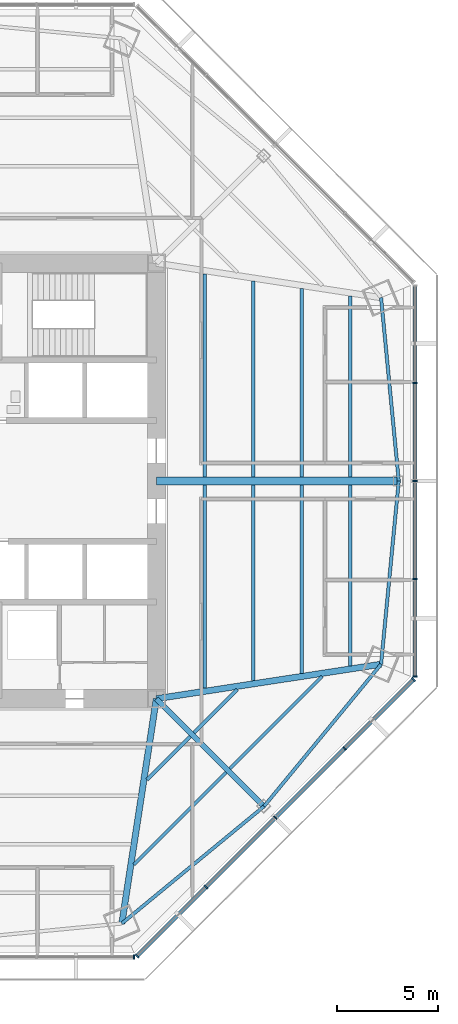
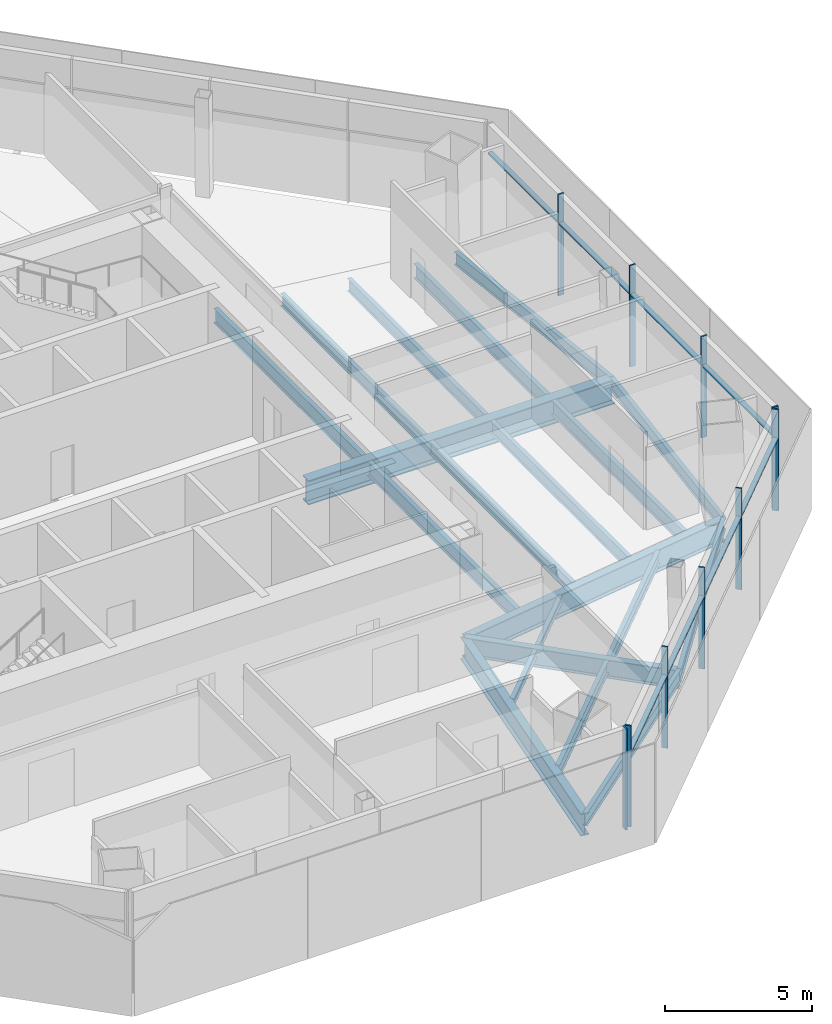
# One storey, part 4 of 15: 20 beams, 18 members, 3 elements without a shape of their own.
"""IFC4 building model written with IfcOpenShell, lengths in metres."""

import ifcopenshell
import ifcopenshell.guid

model = None  # the IFC model being written
_history = None  # IfcOwnerHistory: only IFC2X3 demands one
_inside = {}  # id of a spatial element -> (the spatial element, [elements in it])
_under = {}  # id of a project, library or spatial element -> (it, [spatial elements below it])
_declared = {}  # id of a project -> (the project, [libraries it declares])
_typed = {}  # id of a type object -> (the type object, [elements of that type])
_made_of = {}  # id of a material, layer set ... -> (it, [elements and type objects made of it])


def new_model(schema):
    """Start an empty IFC model of exactly this schema.

    Asked for "IFC4X3", IfcOpenShell would pick the latest addendum, in which some entities
    have other attributes; the version numbers below select the first issue.
    IFC2X3 requires an IfcOwnerHistory on every rooted entity: one is made here for all.
    """
    global model, _history
    if schema == "IFC4X3":
        model = ifcopenshell.file(schema_version=(4, 3, 0, 0))
    else:
        model = ifcopenshell.file(schema=schema)
    _inside.clear()
    _under.clear()
    _declared.clear()
    _typed.clear()
    _made_of.clear()
    _history = None
    if model.schema == "IFC2X3":
        org = make("IfcOrganization", Name="unknown")
        user = make(
            "IfcPersonAndOrganization",
            ThePerson=make("IfcPerson", FamilyName="unknown"),
            TheOrganization=org,
        )
        app = make(
            "IfcApplication",
            ApplicationDeveloper=org,
            Version="unknown",
            ApplicationFullName="unknown",
            ApplicationIdentifier="unknown",
        )
        _history = make(
            "IfcOwnerHistory",
            OwningUser=user,
            OwningApplication=app,
            ChangeAction="ADDED",
            CreationDate=0,
        )
    return model


def make(cls, **values):
    """One entity of the class cls with the attributes given. An attribute that is None is left unset."""
    return model.create_entity(
        cls, **{name: value for name, value in values.items() if value is not None}
    )


def rooted(cls, **values):
    """An entity with a GlobalId (a new one), such as an element, a storey or a relation."""
    return make(cls, GlobalId=ifcopenshell.guid.new(), OwnerHistory=_history, **values)


def si_unit(unit_type, name, prefix=None):
    """IfcSIUnit, for example si_unit("LENGTHUNIT", "METRE", prefix="MILLI")."""
    return make("IfcSIUnit", UnitType=unit_type, Prefix=prefix, Name=name)


def assignment(units):
    """IfcUnitAssignment: the units of a project."""
    return None if units is None else make("IfcUnitAssignment", Units=units)


def point(xyz):
    """IfcCartesianPoint."""
    return None if xyz is None else make("IfcCartesianPoint", Coordinates=xyz)


def direction(xyz):
    """IfcDirection."""
    return None if xyz is None else make("IfcDirection", DirectionRatios=xyz)


def frame(location, z_axis=None, x_axis=None):
    """IfcAxis2Placement3D, a coordinate frame: its origin and axes. An axis left out is left unset."""
    return make(
        "IfcAxis2Placement3D",
        Location=point(location),
        Axis=direction(z_axis),
        RefDirection=direction(x_axis),
    )


def frame_2d(location, x_axis=None):
    """IfcAxis2Placement2D, a coordinate frame in the plane: its origin and x axis."""
    return make(
        "IfcAxis2Placement2D", Location=point(location), RefDirection=direction(x_axis)
    )


def origin():
    """The frame at (0, 0, 0) with its axes left unset."""
    return frame((0.0, 0.0, 0.0))


def origin_2d():
    """The frame at (0, 0) in the plane with its x axis left unset."""
    return frame_2d((0.0, 0.0))


def place(relative_to, where):
    """IfcLocalPlacement: puts the frame where relative to a parent placement (None: the world)."""
    return make(
        "IfcLocalPlacement", PlacementRelTo=relative_to, RelativePlacement=where
    )


def context(
    kind, dimensions, precision=None, world=None, true_north=None, identifier=None
):
    """IfcGeometricRepresentationContext, for example the 3D "Model" context."""
    return make(
        "IfcGeometricRepresentationContext",
        ContextIdentifier=identifier,
        ContextType=kind,
        CoordinateSpaceDimension=dimensions,
        Precision=precision,
        WorldCoordinateSystem=world,
        TrueNorth=true_north,
    )


def subcontext(parent, identifier, kind, view, scale=None):
    """IfcGeometricRepresentationSubContext, for example "Body" below "Model"."""
    return make(
        "IfcGeometricRepresentationSubContext",
        ContextIdentifier=identifier,
        ContextType=kind,
        ParentContext=parent,
        TargetScale=scale,
        TargetView=view,
    )


def project(units=None, contexts=None):
    """IfcProject with its units and contexts."""
    return rooted(
        "IfcProject",
        Name="project",
        RepresentationContexts=contexts,
        UnitsInContext=assignment(units),
    )


def spatial(cls, under=None, at=None, **own):
    """A site, building, storey or space (cls), placed at a placement, below another one or the project."""
    s = rooted(cls, ObjectPlacement=at, **own)
    if under is not None:
        _under.setdefault(under.id(), (under, []))[1].append(s)
    return s


def profile(cls, at=None, kind="AREA", **sizes):
    """A parametric profile (cls). Its sizes go by their IFC names, for example OverallWidth=200.0."""
    return make(cls, ProfileType=kind, Position=at, **sizes)


def rectangle(**sizes):
    """IfcRectangleProfileDef."""
    return profile("IfcRectangleProfileDef", **sizes)


def i_section(**sizes):
    """IfcIShapeProfileDef."""
    return profile("IfcIShapeProfileDef", **sizes)


def extrude(swept, where, along, depth):
    """IfcExtrudedAreaSolid: the profile swept, set in the frame where, extruded along a direction by depth."""
    return make(
        "IfcExtrudedAreaSolid",
        SweptArea=swept,
        Position=where,
        ExtrudedDirection=direction(along),
        Depth=depth,
    )


def shape(context_of_items, identifier, shape_type, items):
    """IfcShapeRepresentation: the items that make up one representation, for example the "Body"."""
    return make(
        "IfcShapeRepresentation",
        ContextOfItems=context_of_items,
        RepresentationIdentifier=identifier,
        RepresentationType=shape_type,
        Items=items,
    )


def source(mapping_origin, context_of_items, identifier, shape_type, items):
    """IfcRepresentationMap: a shape defined once, which mapped items show again and again."""
    return make(
        "IfcRepresentationMap",
        MappingOrigin=mapping_origin,
        MappedRepresentation=shape(context_of_items, identifier, shape_type, items),
    )


def transform(
    local_origin,
    x_axis=None,
    y_axis=None,
    z_axis=None,
    scale=None,
    scale2=None,
    scale3=None,
    uniform=True,
):
    """IfcCartesianTransformationOperator3D, or its non-uniform kind. x_axis, y_axis, z_axis: its Axis1, 2, 3."""
    if uniform:
        return make(
            "IfcCartesianTransformationOperator3D",
            Axis1=direction(x_axis),
            Axis2=direction(y_axis),
            LocalOrigin=point(local_origin),
            Scale=scale,
            Axis3=direction(z_axis),
        )
    return make(
        "IfcCartesianTransformationOperator3DnonUniform",
        Axis1=direction(x_axis),
        Axis2=direction(y_axis),
        LocalOrigin=point(local_origin),
        Scale=scale,
        Axis3=direction(z_axis),
        Scale2=scale2,
        Scale3=scale3,
    )


def mapped(mapping_source, mapping_target):
    """IfcMappedItem: shows the shape of a source again, moved by a transform."""
    return make(
        "IfcMappedItem", MappingSource=mapping_source, MappingTarget=mapping_target
    )


def material(Name=None, Category=None):
    """IfcMaterial."""
    return make("IfcMaterial", Name=Name, Category=Category)


def material_profile(
    of_material, cross_section, Name=None, Category=None, Priority=None
):
    """IfcMaterialProfile: a cross section and its material."""
    return make(
        "IfcMaterialProfile",
        Name=Name,
        Material=of_material,
        Profile=cross_section,
        Priority=Priority,
        Category=Category,
    )


def profile_set(profiles, Name=None, composite=None):
    """IfcMaterialProfileSet."""
    return make(
        "IfcMaterialProfileSet",
        Name=Name,
        MaterialProfiles=profiles,
        CompositeProfile=composite,
    )


def made_of(thing, what):
    """Note that an element or type object is made of a material, layer set ...; save() writes the relation."""
    if what is not None:
        _made_of.setdefault(what.id(), (what, []))[1].append(thing)
    return thing


def type_object(cls, material=None, **own):
    """A type object (cls), such as IfcWallType, which elements share."""
    return made_of(rooted(cls, **own), material)


def type_shapes(of_type, sources):
    """Give a type object the sources (RepresentationMaps) that its elements show as mapped items."""
    of_type.RepresentationMaps = sources


def element(
    cls,
    number,
    at=None,
    inside=None,
    cuts=None,
    type_object=None,
    material=None,
    context=None,
    identifier="Body",
    shape_type=None,
    held_by="IfcProductDefinitionShape",
    body=None,
    shapes=None,
    **own,
):
    """One element of the class cls, such as IfcWall. Its Tag is "e" and its number.

    at: its placement. inside: the storey or other place that contains it. cuts: it is an
    opening in that element (IfcRelVoidsElement). A single representation is given by context,
    identifier, shape_type and body (its items); several are given by shapes. held_by: the class
    of the entity that holds the representations. save() writes the other relations.
    """
    e = rooted(cls, Tag="e%d" % number, ObjectPlacement=at, **own)
    if body is not None:
        shapes = [shape(context, identifier, shape_type, body)]
    if shapes is not None:
        e.Representation = make(held_by, Representations=shapes)
    if inside is not None:
        _inside.setdefault(inside.id(), (inside, []))[1].append(e)
    if cuts is not None:
        rooted(
            "IfcRelVoidsElement", RelatingBuildingElement=cuts, RelatedOpeningElement=e
        )
    if type_object is not None:
        _typed.setdefault(type_object.id(), (type_object, []))[1].append(e)
    return made_of(e, material)


def aggregate(whole, parts):
    """IfcRelAggregates: a whole, such as a stair, and the parts it consists of."""
    return rooted("IfcRelAggregates", RelatingObject=whole, RelatedObjects=parts)


def save(model, path):
    """Write the relations noted so far, then the file.

    IfcRelAggregates (storeys below a building ...), IfcRelContainedInSpatialStructure (elements
    in a storey), IfcRelDefinesByType, IfcRelAssociatesMaterial and IfcRelDeclares: one each for
    every whole, place, type object, material and project.
    """
    for whole, parts in _under.values():
        aggregate(whole, parts)
    for where, things in _inside.values():
        rooted(
            "IfcRelContainedInSpatialStructure",
            RelatedElements=things,
            RelatingStructure=where,
        )
    for kind, things in _typed.values():
        rooted("IfcRelDefinesByType", RelatedObjects=things, RelatingType=kind)
    for what, things in _made_of.values():
        rooted("IfcRelAssociatesMaterial", RelatedObjects=things, RelatingMaterial=what)
    for by, libraries in _declared.values():
        rooted("IfcRelDeclares", RelatingContext=by, RelatedDefinitions=libraries)
    model.write(path)


model = new_model("IFC4")

# Units and contexts
model_context = context("Model", 3, precision=1e-05, world=origin(), true_north=direction((0.0, 1.0)))
body_context = subcontext(model_context, "Body", "Model", "MODEL_VIEW")
ifc_project = project(units=[si_unit("LENGTHUNIT", "METRE"), si_unit("AREAUNIT", "SQUARE_METRE"), si_unit("VOLUMEUNIT", "CUBIC_METRE"), si_unit("PLANEANGLEUNIT", "RADIAN"), si_unit("MASSUNIT", "GRAM", prefix="KILO")], contexts=[model_context])

# Site, building, storey
site_placement = place(None, origin())
site = spatial("IfcSite", under=ifc_project, at=site_placement, CompositionType="ELEMENT")
building_placement = place(site_placement, origin())
building = spatial("IfcBuilding", under=site, at=building_placement, Name="Mashrafa Tower", CompositionType="ELEMENT")
storey_placement = place(building_placement, frame((0.0, 0.0, 155.39990234375)))
storey = spatial("IfcBuildingStorey", under=building, at=storey_placement, Name="L35", CompositionType="ELEMENT", Elevation=155.39990234375)

# Beams
ifc_material_1 = material(Name="Steel ASTM A992", Category="steel")
ifc_material_profile_1 = material_profile(ifc_material_1, i_section(OverallWidth=0.164794921875, OverallDepth=0.309814453125, WebThickness=0.005859375, FlangeThickness=0.009765625, FilletRadius=0.007568359375, at=origin_2d()), Name="W12X26")
ifc_profile_set_1 = profile_set([ifc_material_profile_1], Name="Steel ASTM A992")
beam_type_1 = type_object("IfcBeamType", Name="Beam W12X26", PredefinedType="BEAM", material=ifc_profile_set_1)
for number, where, z_axis, x_axis, name in (
    (1, (12.485107421875, -12.673828125, -0.31982421875), (-0.707106781187, -0.707106781187, 0.0), (0.707106781187, -0.707106781187, 0.0), "Floor beam L35 035"),
    (2, (14.8203125, -10.338623046875, -0.31982421875), (-0.707106781187, -0.707106781187, 0.0), (0.707106781187, -0.707106781187, 0.0), "Floor beam L35 041"),
):
    element("IfcBeam", number, at=place(storey_placement, frame(where, z_axis=z_axis, x_axis=x_axis)), inside=storey, type_object=beam_type_1, Name=name, PredefinedType="BEAM", context=body_context, shape_type="SweptSolid", body=[
        extrude(i_section(OverallWidth=0.164794921875, OverallDepth=0.309814453125, WebThickness=0.005859375, FlangeThickness=0.009765625, FilletRadius=0.007568359375, at=origin_2d()), origin(), (0.0, 0.0, 1.0), 3.03564453125),
    ])
ifc_material_2 = material(Name="Steel ASTM A992", Category="steel")
ifc_material_profile_2 = material_profile(ifc_material_2, i_section(OverallWidth=0.1650390625, OverallDepth=0.52587890625, WebThickness=0.0087890625, FlangeThickness=0.011474609375, FilletRadius=0.0126953125, at=origin_2d()), Name="W21X44")
ifc_profile_set_2 = profile_set([ifc_material_profile_2], Name="Steel ASTM A992")
beam_type_2 = type_object("IfcBeamType", Name="Beam W21X44", PredefinedType="BEAM", material=ifc_profile_set_2)
beam_1_placement = place(storey_placement, frame((14.2646484375, -14.453369140625, -0.427734375), z_axis=(-0.707106781187, -0.707106781187, 0.0), x_axis=(0.707106781187, -0.707106781187, 0.0)))
element("IfcBeam", 3, at=beam_1_placement, inside=storey, type_object=beam_type_2, Name="Floor beam L35 039", PredefinedType="BEAM", context=body_context, shape_type="SweptSolid", body=[
    extrude(i_section(OverallWidth=0.1650390625, OverallDepth=0.52587890625, WebThickness=0.0087890625, FlangeThickness=0.011474609375, FilletRadius=0.0126953125, at=origin_2d()), origin(), (0.0, 0.0, 1.0), 6.46435546875),
])
for number, where, z_axis, x_axis, name in (
    (4, (15.609375, -0.20068359375, -0.427734375), (0.0, -1.0, 0.0), (1.0, 0.0, 0.0), "Floor beam L35 042"),
    (5, (15.609375, 9.906494140625, -0.427734375), (0.0, -1.0, 0.0), (1.0, 0.0, 0.0), "Floor beam L35 043"),
):
    element("IfcBeam", number, at=place(storey_placement, frame(where, z_axis=z_axis, x_axis=x_axis)), inside=storey, type_object=beam_type_2, Name=name, PredefinedType="BEAM", context=body_context, shape_type="SweptSolid", body=[
        extrude(i_section(OverallWidth=0.1650390625, OverallDepth=0.52587890625, WebThickness=0.0087890625, FlangeThickness=0.011474609375, FilletRadius=0.0126953125, at=origin_2d()), origin(), (0.0, 0.0, 1.0), 9.705810546875),
    ])
for number, where, z_axis, x_axis, name in (
    (6, (18.013916015625, -0.20068359375, -0.427734375), (0.0, -1.0, 0.0), (1.0, 0.0, 0.0), "Floor beam L35 044"),
    (7, (18.013916015625, 9.53759765625, -0.427734375), (0.0, -1.0, 0.0), (1.0, 0.0, 0.0), "Floor beam L35 045"),
):
    element("IfcBeam", number, at=place(storey_placement, frame(where, z_axis=z_axis, x_axis=x_axis)), inside=storey, type_object=beam_type_2, Name=name, PredefinedType="BEAM", context=body_context, shape_type="SweptSolid", body=[
        extrude(i_section(OverallWidth=0.1650390625, OverallDepth=0.52587890625, WebThickness=0.0087890625, FlangeThickness=0.011474609375, FilletRadius=0.0126953125, at=origin_2d()), origin(), (0.0, 0.0, 1.0), 9.3369140625),
    ])
beam_2_placement = place(storey_placement, frame((19.0244140625, -9.693603515625, -0.427734375), z_axis=(-0.707106781187, -0.707106781187, 0.0), x_axis=(0.707106781187, -0.707106781187, 0.0)))
element("IfcBeam", 8, at=beam_2_placement, inside=storey, type_object=beam_type_2, Name="Floor beam L35 046", PredefinedType="BEAM", context=body_context, shape_type="SweptSolid", body=[
    extrude(i_section(OverallWidth=0.1650390625, OverallDepth=0.52587890625, WebThickness=0.0087890625, FlangeThickness=0.011474609375, FilletRadius=0.0126953125, at=origin_2d()), origin(), (0.0, 0.0, 1.0), 6.46435546875),
])
for number, where, z_axis, x_axis, name in (
    (9, (9.090087890625, -21.945068359375, -0.427734375), (0.771816010297, 0.635845929647, 0.0), (-0.635845929647, 0.771816010297, 0.0), "Spandrel beam L35 074"),
    (10, (16.138427734375, -16.138427734375, -0.427734375), (0.635845929647, 0.771816010297, 0.0), (-0.771816010297, 0.635845929647, 0.0), "Spandrel beam L35 076"),
):
    element("IfcBeam", number, at=place(storey_placement, frame(where, z_axis=z_axis, x_axis=x_axis)), inside=storey, type_object=beam_type_2, Name=name, PredefinedType="BEAM", context=body_context, shape_type="SweptSolid", body=[
        extrude(i_section(OverallWidth=0.1650390625, OverallDepth=0.52587890625, WebThickness=0.0087890625, FlangeThickness=0.011474609375, FilletRadius=0.0126953125, at=origin_2d()), origin(), (0.0, 0.0, 1.0), 9.132080078125),
    ])
for number, where, z_axis, x_axis, name in (
    (11, (21.945068359375, -9.090087890625, -0.427734375), (0.096160155008, 0.995365874736, 0.0), (-0.995365874736, 0.096160155008, 0.0), "Spandrel beam L35 078"),
    (12, (22.8232421875, 0.0, -0.427734375), (-0.096160155008, 0.995365874736, 0.0), (-0.995365874736, -0.096160155008, 0.0), "Spandrel beam L35 080"),
):
    element("IfcBeam", number, at=place(storey_placement, frame(where, z_axis=z_axis, x_axis=x_axis)), inside=storey, type_object=beam_type_2, Name=name, PredefinedType="BEAM", context=body_context, shape_type="SweptSolid", body=[
        extrude(i_section(OverallWidth=0.1650390625, OverallDepth=0.52587890625, WebThickness=0.0087890625, FlangeThickness=0.011474609375, FilletRadius=0.0126953125, at=origin_2d()), origin(), (0.0, 0.0, 1.0), 9.13232421875),
    ])
ifc_material_3 = material(Name="Steel ASTM A992", Category="steel")
ifc_material_profile_3 = material_profile(ifc_material_3, i_section(OverallWidth=0.177978515625, OverallDepth=0.599365234375, WebThickness=0.010009765625, FlangeThickness=0.012939453125, FilletRadius=0.012939453125, at=origin_2d()), Name="W24X55")
ifc_profile_set_3 = profile_set([ifc_material_profile_3], Name="Steel ASTM A992")
beam_type_3 = type_object("IfcBeamType", Name="Beam W24X55", PredefinedType="BEAM", material=ifc_profile_set_3)
for number, where, z_axis, x_axis, name in (
    (13, (13.20458984375, -0.20068359375, -0.464599609375), (0.0, -1.0, 0.0), (1.0, 0.0, 0.0), "Floor beam L35 037"),
    (14, (13.20458984375, 10.275634765625, -0.464599609375), (0.0, -1.0, 0.0), (1.0, 0.0, 0.0), "Floor beam L35 038"),
):
    element("IfcBeam", number, at=place(storey_placement, frame(where, z_axis=z_axis, x_axis=x_axis)), inside=storey, type_object=beam_type_3, Name=name, PredefinedType="BEAM", context=body_context, shape_type="SweptSolid", body=[
        extrude(i_section(OverallWidth=0.177978515625, OverallDepth=0.599365234375, WebThickness=0.010009765625, FlangeThickness=0.012939453125, FilletRadius=0.012939453125, at=origin_2d()), origin(), (0.0, 0.0, 1.0), 10.074951171875),
    ])
for number, where, z_axis, x_axis, name in (
    (15, (20.418701171875, -0.20068359375, -0.464599609375), (0.0, -1.0, 0.0), (1.0, 0.0, 0.0), "Floor beam L35 047"),
    (16, (20.418701171875, 9.168701171875, -0.464599609375), (0.0, -1.0, 0.0), (1.0, 0.0, 0.0), "Floor beam L35 048"),
):
    element("IfcBeam", number, at=place(storey_placement, frame(where, z_axis=z_axis, x_axis=x_axis)), inside=storey, type_object=beam_type_3, Name=name, PredefinedType="BEAM", context=body_context, shape_type="SweptSolid", body=[
        extrude(i_section(OverallWidth=0.177978515625, OverallDepth=0.599365234375, WebThickness=0.010009765625, FlangeThickness=0.012939453125, FilletRadius=0.012939453125, at=origin_2d()), origin(), (0.0, 0.0, 1.0), 8.968017578125),
    ])
ifc_material_4 = material(Name="Steel ASTM A992", Category="steel")
ifc_material_profile_4 = material_profile(ifc_material_4, i_section(OverallWidth=0.2666015625, OverallDepth=0.761962890625, WebThickness=0.014404296875, FlangeThickness=0.021484375, FilletRadius=0.0166015625, at=origin_2d()), Name="W30X116")
ifc_profile_set_4 = profile_set([ifc_material_profile_4], Name="Steel ASTM A992")
beam_type_4 = type_object("IfcBeamType", Name="Beam W30X116", PredefinedType="BEAM", material=ifc_profile_set_4)
beam_3_placement = place(storey_placement, frame((10.800048828125, -10.800048828125, -0.5458984375), z_axis=(0.707106781187, -0.707106781187, 0.0), x_axis=(0.707106781187, 0.707106781187, 0.0)))
element("IfcBeam", 17, at=beam_3_placement, inside=storey, type_object=beam_type_4, Name="Radial girder L35 059", PredefinedType="BEAM", context=body_context, shape_type="SweptSolid", body=[
    extrude(i_section(OverallWidth=0.2666015625, OverallDepth=0.761962890625, WebThickness=0.014404296875, FlangeThickness=0.021484375, FilletRadius=0.0166015625, at=origin_2d()), origin(), (0.0, 0.0, 1.0), 7.549560546875),
])
ifc_material_5 = material(Name="Steel ASTM A992", Category="steel")
ifc_material_profile_5 = material_profile(ifc_material_5, i_section(OverallWidth=0.307373046875, OverallDepth=0.927001953125, WebThickness=0.01953125, FlangeThickness=0.031982421875, FilletRadius=0.01904296875, at=origin_2d()), Name="W36X194")
ifc_profile_set_5 = profile_set([ifc_material_profile_5], Name="Steel ASTM A992")
beam_type_5 = type_object("IfcBeamType", Name="Beam W36X194", PredefinedType="BEAM", material=ifc_profile_set_5)
for number, where, z_axis, x_axis, name in (
    (18, (10.800048828125, -10.800048828125, -0.62841796875), (-0.151653660293, -0.988433693942, 0.0), (0.988433693942, -0.151653660293, 0.0), "Radial girder L35 058"),
    (19, (10.800048828125, -10.800048828125, -0.62841796875), (0.988433693942, 0.151653660293, 0.0), (-0.151653660293, 0.988433693942, 0.0), "Radial girder L35 060"),
):
    element("IfcBeam", number, at=place(storey_placement, frame(where, z_axis=z_axis, x_axis=x_axis)), inside=storey, type_object=beam_type_5, Name=name, PredefinedType="BEAM", context=body_context, shape_type="SweptSolid", body=[
        extrude(i_section(OverallWidth=0.307373046875, OverallDepth=0.927001953125, WebThickness=0.01953125, FlangeThickness=0.031982421875, FilletRadius=0.01904296875, at=origin_2d()), origin(), (0.0, 0.0, 1.0), 11.275390625),
    ])
ifc_material_6 = material(Name="Steel ASTM A992", Category="steel")
ifc_material_profile_6 = material_profile(ifc_material_6, i_section(OverallWidth=0.4013671875, OverallDepth=1.010986328125, WebThickness=0.023681640625, FlangeThickness=0.0419921875, FilletRadius=0.02001953125, at=origin_2d()), Name="W40X297")
ifc_profile_set_6 = profile_set([ifc_material_profile_6], Name="Steel ASTM A992")
beam_type_6 = type_object("IfcBeamType", Name="Beam W40X297", PredefinedType="BEAM", material=ifc_profile_set_6)
beam_4_placement = place(storey_placement, frame((10.800048828125, 0.0, -0.67041015625), z_axis=(1.0, 0.0, 0.0), x_axis=(0.0, 1.0, 0.0)))
element("IfcBeam", 20, at=beam_4_placement, inside=storey, type_object=beam_type_6, Name="Radial girder L35 061", PredefinedType="BEAM", context=body_context, shape_type="SweptSolid", body=[
    extrude(i_section(OverallWidth=0.4013671875, OverallDepth=1.010986328125, WebThickness=0.023681640625, FlangeThickness=0.0419921875, FilletRadius=0.02001953125, at=origin_2d()), origin(), (0.0, 0.0, 1.0), 12.023193359375),
])

# Curtain wall, members
ifc_material_7 = material(Name="Unitised aluminium curtain wall", Category="aluminium")
curtain_wall_type = type_object("IfcCurtainWallType", Name="Office curtain wall, zone 2 CW-B 225 deep", PredefinedType="NOTDEFINED", material=ifc_material_7)
curtain_wall_1_placement = place(storey_placement, origin())
curtain_wall_1 = element("IfcCurtainWall", 21, at=curtain_wall_1_placement, inside=storey, type_object=curtain_wall_type, Name="Office curtain wall, zone 2 L35 east", PredefinedType="NOTDEFINED")
ifc_material_8 = material(Name="Extruded aluminium mullion", Category="aluminium")
ifc_material_profile_7 = material_profile(ifc_material_8, rectangle(XDim=0.22509765625, YDim=0.06494140625, at=origin_2d()), Name="Mullion 65x225")
ifc_profile_set_7 = profile_set([ifc_material_profile_7], Name="Extruded aluminium mullion")
member_type_1 = type_object("IfcMemberType", Name="Mullion CW-B 65 x 225", PredefinedType="MULLION", material=ifc_profile_set_7)
shared_shape_1 = source(origin(), body_context, "Body", "SweptSolid", [
    extrude(rectangle(XDim=0.22509765625, YDim=0.06494140625, at=origin_2d()), origin(), (0.0, 0.0, 1.0), 4.2001953125),
])
type_shapes(member_type_1, [shared_shape_1])
member_1_placement = place(storey_placement, frame((23.61865234375, -9.694091796875, 0.0), z_axis=(0.0, 0.0, 1.0), x_axis=(-1.0, 0.0, 0.0)))
member_1 = element("IfcMember", 22, at=member_1_placement, type_object=member_type_1, Name="CW-B mullion 1", PredefinedType="MULLION", context=body_context, shape_type="MappedRepresentation", body=[
    mapped(shared_shape_1, transform((0.0, 0.0, 0.0))),
])
member_2_placement = place(storey_placement, frame((23.61865234375, -4.86328125, 0.0), z_axis=(0.0, 0.0, 1.0), x_axis=(-1.0, 0.0, 0.0)))
member_2 = element("IfcMember", 23, at=member_2_placement, type_object=member_type_1, Name="CW-B mullion 2", PredefinedType="MULLION", context=body_context, shape_type="MappedRepresentation", body=[
    mapped(shared_shape_1, transform((0.0, 0.0, 0.0))),
])
member_3_placement = place(storey_placement, frame((23.61865234375, 0.0, 0.0), z_axis=(0.0, 0.0, 1.0), x_axis=(-1.0, 0.0, 0.0)))
member_3 = element("IfcMember", 24, at=member_3_placement, type_object=member_type_1, Name="CW-B mullion 3", PredefinedType="MULLION", context=body_context, shape_type="MappedRepresentation", body=[
    mapped(shared_shape_1, transform((0.0, 0.0, 0.0))),
])
member_4_placement = place(storey_placement, frame((23.61865234375, 4.86328125, 0.0), z_axis=(0.0, 0.0, 1.0), x_axis=(-1.0, 0.0, 0.0)))
member_4 = element("IfcMember", 25, at=member_4_placement, type_object=member_type_1, Name="CW-B mullion 4", PredefinedType="MULLION", context=body_context, shape_type="MappedRepresentation", body=[
    mapped(shared_shape_1, transform((0.0, 0.0, 0.0))),
])

# Curtain wall, member
curtain_wall_2_placement = place(storey_placement, origin())
curtain_wall_2 = element("IfcCurtainWall", 26, at=curtain_wall_2_placement, inside=storey, type_object=curtain_wall_type, Name="Office curtain wall, zone 2 L35 south", PredefinedType="NOTDEFINED")
member_5_placement = place(storey_placement, frame((9.694091796875, -23.61865234375, 0.0), z_axis=(0.0, 0.0, 1.0), x_axis=(0.0, 1.0, 0.0)))
member_5 = element("IfcMember", 27, at=member_5_placement, type_object=member_type_1, Name="CW-B mullion 5", PredefinedType="MULLION", context=body_context, shape_type="MappedRepresentation", body=[
    mapped(shared_shape_1, transform((0.0, 0.0, 0.0))),
])
aggregate(curtain_wall_2, [member_5])

# Curtain wall, members
curtain_wall_3_placement = place(storey_placement, origin())
curtain_wall_3 = element("IfcCurtainWall", 28, at=curtain_wall_3_placement, inside=storey, type_object=curtain_wall_type, Name="Office curtain wall, zone 2 L35 south-east", PredefinedType="NOTDEFINED")
member_6_placement = place(storey_placement, frame((9.84619140625, -23.5556640625, 0.0), z_axis=(0.0, 0.0, 1.0), x_axis=(-0.707106781187, 0.707106781187, 0.0)))
member_6 = element("IfcMember", 29, at=member_6_placement, type_object=member_type_1, Name="CW-B mullion 1", PredefinedType="MULLION", context=body_context, shape_type="MappedRepresentation", body=[
    mapped(shared_shape_1, transform((0.0, 0.0, 0.0))),
])
member_7_placement = place(storey_placement, frame((13.261962890625, -20.139892578125, 0.0), z_axis=(0.0, 0.0, 1.0), x_axis=(-0.707106781187, 0.707106781187, 0.0)))
member_7 = element("IfcMember", 30, at=member_7_placement, type_object=member_type_1, Name="CW-B mullion 2", PredefinedType="MULLION", context=body_context, shape_type="MappedRepresentation", body=[
    mapped(shared_shape_1, transform((0.0, 0.0, 0.0))),
])
member_8_placement = place(storey_placement, frame((16.700927734375, -16.700927734375, 0.0), z_axis=(0.0, 0.0, 1.0), x_axis=(-0.707106781187, 0.707106781187, 0.0)))
member_8 = element("IfcMember", 31, at=member_8_placement, type_object=member_type_1, Name="CW-B mullion 3", PredefinedType="MULLION", context=body_context, shape_type="MappedRepresentation", body=[
    mapped(shared_shape_1, transform((0.0, 0.0, 0.0))),
])
member_9_placement = place(storey_placement, frame((20.139892578125, -13.261962890625, 0.0), z_axis=(0.0, 0.0, 1.0), x_axis=(-0.707106781187, 0.707106781187, 0.0)))
member_9 = element("IfcMember", 32, at=member_9_placement, type_object=member_type_1, Name="CW-B mullion 4", PredefinedType="MULLION", context=body_context, shape_type="MappedRepresentation", body=[
    mapped(shared_shape_1, transform((0.0, 0.0, 0.0))),
])
member_10_placement = place(storey_placement, frame((23.5556640625, -9.84619140625, 0.0), z_axis=(0.0, 0.0, 1.0), x_axis=(-0.707106781187, 0.707106781187, 0.0)))
member_10 = element("IfcMember", 33, at=member_10_placement, type_object=member_type_1, Name="CW-B mullion 5", PredefinedType="MULLION", context=body_context, shape_type="MappedRepresentation", body=[
    mapped(shared_shape_1, transform((0.0, 0.0, 0.0))),
])

# Member
ifc_material_9 = material(Name="Extruded aluminium transom", Category="aluminium")
ifc_material_profile_8 = material_profile(ifc_material_9, rectangle(XDim=0.179931640625, YDim=0.080078125, at=origin_2d()), Name="Transom 80x180")
ifc_profile_set_8 = profile_set([ifc_material_profile_8], Name="Extruded aluminium transom")
member_type_2 = type_object("IfcMemberType", Name="Transom CW-B 80 x 180", PredefinedType="MULLION", material=ifc_profile_set_8)
shared_shape_2 = source(origin(), body_context, "Body", "SweptSolid", [
    extrude(rectangle(XDim=0.179931640625, YDim=0.080078125, at=origin_2d()), origin(), (0.0, 0.0, 1.0), 4.765869140625),
])
member_11_placement = place(storey_placement, frame((23.61865234375, -9.66162109375, 3.0), z_axis=(0.0, 1.0, 0.0), x_axis=(-1.0, 0.0, 0.0)))
member_11 = element("IfcMember", 34, at=member_11_placement, type_object=member_type_2, Name="CW-B transom 1", PredefinedType="MULLION", context=body_context, shape_type="MappedRepresentation", body=[
    mapped(shared_shape_2, transform((0.0, 0.0, 0.0))),
])

member_12_placement = place(storey_placement, frame((23.61865234375, 4.895751953125, 3.0), z_axis=(0.0, 1.0, 0.0), x_axis=(-1.0, 0.0, 0.0)))
member_12 = element("IfcMember", 35, at=member_12_placement, type_object=member_type_2, Name="CW-B transom 4", PredefinedType="MULLION", context=body_context, shape_type="MappedRepresentation", body=[
    mapped(shared_shape_2, transform((0.0, 0.0, 0.0))),
])

shared_shape_3 = source(origin(), body_context, "Body", "SweptSolid", [
    extrude(rectangle(XDim=0.179931640625, YDim=0.080078125, at=origin_2d()), origin(), (0.0, 0.0, 1.0), 4.79833984375),
])
member_13_placement = place(storey_placement, frame((23.61865234375, -4.830810546875, 3.0), z_axis=(0.0, 1.0, 0.0), x_axis=(-1.0, 0.0, 0.0)))
member_13 = element("IfcMember", 36, at=member_13_placement, type_object=member_type_2, Name="CW-B transom 2", PredefinedType="MULLION", context=body_context, shape_type="MappedRepresentation", body=[
    mapped(shared_shape_3, transform((0.0, 0.0, 0.0))),
])

member_14_placement = place(storey_placement, frame((23.61865234375, 0.032470703125, 3.0), z_axis=(0.0, 1.0, 0.0), x_axis=(-1.0, 0.0, 0.0)))
member_14 = element("IfcMember", 37, at=member_14_placement, type_object=member_type_2, Name="CW-B transom 3", PredefinedType="MULLION", context=body_context, shape_type="MappedRepresentation", body=[
    mapped(shared_shape_3, transform((0.0, 0.0, 0.0))),
])

aggregate(curtain_wall_1, [member_1, member_2, member_3, member_4, member_11, member_13, member_14, member_12])

shared_shape_4 = source(origin(), body_context, "Body", "SweptSolid", [
    extrude(rectangle(XDim=0.179931640625, YDim=0.080078125, at=origin_2d()), origin(), (0.0, 0.0, 1.0), 4.765625),
])
member_15_placement = place(storey_placement, frame((9.869140625, -23.53271484375, 3.0), z_axis=(0.707106781187, 0.707106781187, 0.0), x_axis=(-0.707106781187, 0.707106781187, 0.0)))
member_15 = element("IfcMember", 38, at=member_15_placement, type_object=member_type_2, Name="CW-B transom 1", PredefinedType="MULLION", context=body_context, shape_type="MappedRepresentation", body=[
    mapped(shared_shape_4, transform((0.0, 0.0, 0.0))),
])

member_16_placement = place(storey_placement, frame((20.162841796875, -13.239013671875, 3.0), z_axis=(0.707106781187, 0.707106781187, 0.0), x_axis=(-0.707106781187, 0.707106781187, 0.0)))
member_16 = element("IfcMember", 39, at=member_16_placement, type_object=member_type_2, Name="CW-B transom 4", PredefinedType="MULLION", context=body_context, shape_type="MappedRepresentation", body=[
    mapped(shared_shape_4, transform((0.0, 0.0, 0.0))),
])

shared_shape_5 = source(origin(), body_context, "Body", "SweptSolid", [
    extrude(rectangle(XDim=0.179931640625, YDim=0.080078125, at=origin_2d()), origin(), (0.0, 0.0, 1.0), 4.798095703125),
])
type_shapes(member_type_2, [shared_shape_2, shared_shape_3, shared_shape_4, shared_shape_5])
member_17_placement = place(storey_placement, frame((13.28515625, -20.11669921875, 3.0), z_axis=(0.707106781187, 0.707106781187, 0.0), x_axis=(-0.707106781187, 0.707106781187, 0.0)))
member_17 = element("IfcMember", 40, at=member_17_placement, type_object=member_type_2, Name="CW-B transom 2", PredefinedType="MULLION", context=body_context, shape_type="MappedRepresentation", body=[
    mapped(shared_shape_5, transform((0.0, 0.0, 0.0))),
])

member_18_placement = place(storey_placement, frame((16.723876953125, -16.677978515625, 3.0), z_axis=(0.707106781187, 0.707106781187, 0.0), x_axis=(-0.707106781187, 0.707106781187, 0.0)))
member_18 = element("IfcMember", 41, at=member_18_placement, type_object=member_type_2, Name="CW-B transom 3", PredefinedType="MULLION", context=body_context, shape_type="MappedRepresentation", body=[
    mapped(shared_shape_5, transform((0.0, 0.0, 0.0))),
])

aggregate(curtain_wall_3, [member_6, member_7, member_8, member_9, member_10, member_15, member_17, member_18, member_16])

save(model, "model.ifc")
